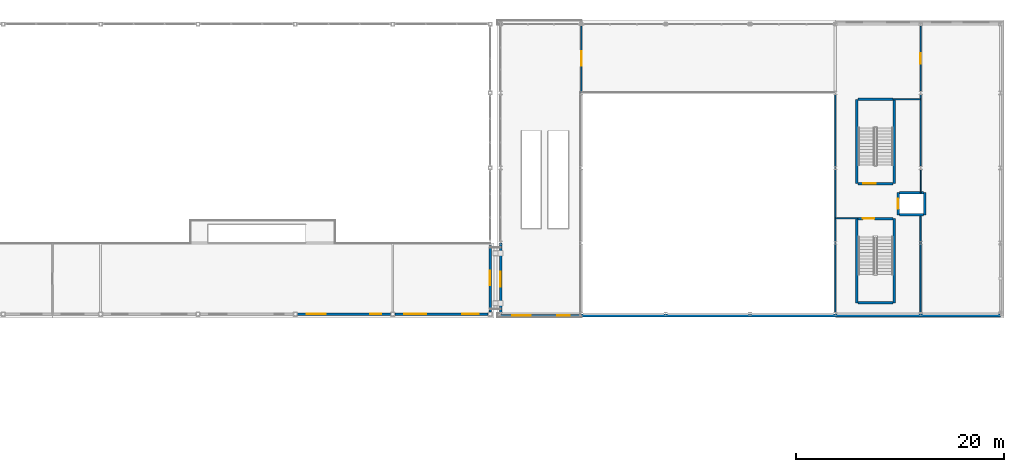
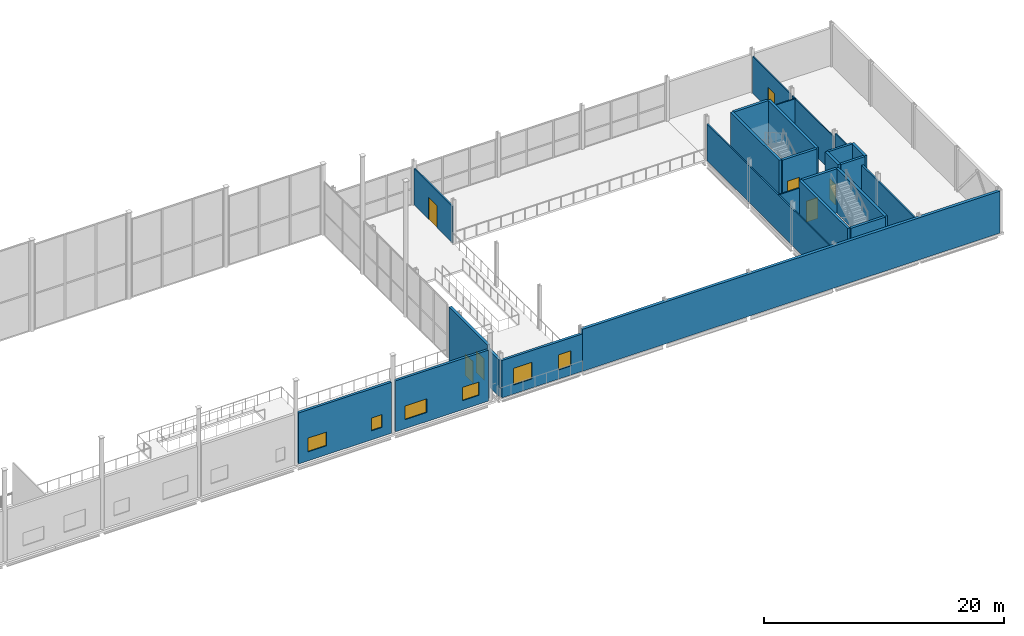
# One storey, part 68 of 77: 26 walls, 7 doors, 6 windows, 13 openings.
"""IFC4 building model written with IfcOpenShell, lengths in metres."""

import ifcopenshell
import ifcopenshell.guid

model = None  # the IFC model being written
_history = None  # IfcOwnerHistory: only IFC2X3 demands one
_inside = {}  # id of a spatial element -> (the spatial element, [elements in it])
_under = {}  # id of a project, library or spatial element -> (it, [spatial elements below it])
_declared = {}  # id of a project -> (the project, [libraries it declares])
_typed = {}  # id of a type object -> (the type object, [elements of that type])
_made_of = {}  # id of a material, layer set ... -> (it, [elements and type objects made of it])


def new_model(schema):
    """Start an empty IFC model of exactly this schema.

    Asked for "IFC4X3", IfcOpenShell would pick the latest addendum, in which some entities
    have other attributes; the version numbers below select the first issue.
    IFC2X3 requires an IfcOwnerHistory on every rooted entity: one is made here for all.
    """
    global model, _history
    if schema == "IFC4X3":
        model = ifcopenshell.file(schema_version=(4, 3, 0, 0))
    else:
        model = ifcopenshell.file(schema=schema)
    _inside.clear()
    _under.clear()
    _declared.clear()
    _typed.clear()
    _made_of.clear()
    _history = None
    if model.schema == "IFC2X3":
        org = make("IfcOrganization", Name="unknown")
        user = make(
            "IfcPersonAndOrganization",
            ThePerson=make("IfcPerson", FamilyName="unknown"),
            TheOrganization=org,
        )
        app = make(
            "IfcApplication",
            ApplicationDeveloper=org,
            Version="unknown",
            ApplicationFullName="unknown",
            ApplicationIdentifier="unknown",
        )
        _history = make(
            "IfcOwnerHistory",
            OwningUser=user,
            OwningApplication=app,
            ChangeAction="ADDED",
            CreationDate=0,
        )
    return model


def make(cls, **values):
    """One entity of the class cls with the attributes given. An attribute that is None is left unset."""
    return model.create_entity(
        cls, **{name: value for name, value in values.items() if value is not None}
    )


def rooted(cls, **values):
    """An entity with a GlobalId (a new one), such as an element, a storey or a relation."""
    return make(cls, GlobalId=ifcopenshell.guid.new(), OwnerHistory=_history, **values)


def si_unit(unit_type, name, prefix=None):
    """IfcSIUnit, for example si_unit("LENGTHUNIT", "METRE", prefix="MILLI")."""
    return make("IfcSIUnit", UnitType=unit_type, Prefix=prefix, Name=name)


def assignment(units):
    """IfcUnitAssignment: the units of a project."""
    return None if units is None else make("IfcUnitAssignment", Units=units)


def point(xyz):
    """IfcCartesianPoint."""
    return None if xyz is None else make("IfcCartesianPoint", Coordinates=xyz)


def direction(xyz):
    """IfcDirection."""
    return None if xyz is None else make("IfcDirection", DirectionRatios=xyz)


def frame(location, z_axis=None, x_axis=None):
    """IfcAxis2Placement3D, a coordinate frame: its origin and axes. An axis left out is left unset."""
    return make(
        "IfcAxis2Placement3D",
        Location=point(location),
        Axis=direction(z_axis),
        RefDirection=direction(x_axis),
    )


def frame_2d(location, x_axis=None):
    """IfcAxis2Placement2D, a coordinate frame in the plane: its origin and x axis."""
    return make(
        "IfcAxis2Placement2D", Location=point(location), RefDirection=direction(x_axis)
    )


def origin():
    """The frame at (0, 0, 0) with its axes left unset."""
    return frame((0.0, 0.0, 0.0))


def place(relative_to, where):
    """IfcLocalPlacement: puts the frame where relative to a parent placement (None: the world)."""
    return make(
        "IfcLocalPlacement", PlacementRelTo=relative_to, RelativePlacement=where
    )


def context(
    kind, dimensions, precision=None, world=None, true_north=None, identifier=None
):
    """IfcGeometricRepresentationContext, for example the 3D "Model" context."""
    return make(
        "IfcGeometricRepresentationContext",
        ContextIdentifier=identifier,
        ContextType=kind,
        CoordinateSpaceDimension=dimensions,
        Precision=precision,
        WorldCoordinateSystem=world,
        TrueNorth=true_north,
    )


def subcontext(parent, identifier, kind, view, scale=None):
    """IfcGeometricRepresentationSubContext, for example "Body" below "Model"."""
    return make(
        "IfcGeometricRepresentationSubContext",
        ContextIdentifier=identifier,
        ContextType=kind,
        ParentContext=parent,
        TargetScale=scale,
        TargetView=view,
    )


def project(units=None, contexts=None):
    """IfcProject with its units and contexts."""
    return rooted(
        "IfcProject",
        Name="project",
        RepresentationContexts=contexts,
        UnitsInContext=assignment(units),
    )


def spatial(cls, under=None, at=None, **own):
    """A site, building, storey or space (cls), placed at a placement, below another one or the project."""
    s = rooted(cls, ObjectPlacement=at, **own)
    if under is not None:
        _under.setdefault(under.id(), (under, []))[1].append(s)
    return s


def profile(cls, at=None, kind="AREA", **sizes):
    """A parametric profile (cls). Its sizes go by their IFC names, for example OverallWidth=200.0."""
    return make(cls, ProfileType=kind, Position=at, **sizes)


def rectangle(**sizes):
    """IfcRectangleProfileDef."""
    return profile("IfcRectangleProfileDef", **sizes)


def extrude(swept, where, along, depth):
    """IfcExtrudedAreaSolid: the profile swept, set in the frame where, extruded along a direction by depth."""
    return make(
        "IfcExtrudedAreaSolid",
        SweptArea=swept,
        Position=where,
        ExtrudedDirection=direction(along),
        Depth=depth,
    )


def shape(context_of_items, identifier, shape_type, items):
    """IfcShapeRepresentation: the items that make up one representation, for example the "Body"."""
    return make(
        "IfcShapeRepresentation",
        ContextOfItems=context_of_items,
        RepresentationIdentifier=identifier,
        RepresentationType=shape_type,
        Items=items,
    )


def material(Name=None, Category=None):
    """IfcMaterial."""
    return make("IfcMaterial", Name=Name, Category=Category)


def layer(
    of_material, thickness, ventilated=None, Name=None, Category=None, Priority=None
):
    """IfcMaterialLayer: one layer of a wall or slab, of a material (None: an air gap)."""
    return make(
        "IfcMaterialLayer",
        Material=of_material,
        LayerThickness=thickness,
        IsVentilated=ventilated,
        Name=Name,
        Category=Category,
        Priority=Priority,
    )


def layer_set(layers, Name=None):
    """IfcMaterialLayerSet."""
    return make("IfcMaterialLayerSet", MaterialLayers=layers, LayerSetName=Name)


def made_of(thing, what):
    """Note that an element or type object is made of a material, layer set ...; save() writes the relation."""
    if what is not None:
        _made_of.setdefault(what.id(), (what, []))[1].append(thing)
    return thing


def type_object(cls, material=None, **own):
    """A type object (cls), such as IfcWallType, which elements share."""
    return made_of(rooted(cls, **own), material)


def element(
    cls,
    number,
    at=None,
    inside=None,
    cuts=None,
    type_object=None,
    material=None,
    context=None,
    identifier="Body",
    shape_type=None,
    held_by="IfcProductDefinitionShape",
    body=None,
    shapes=None,
    **own,
):
    """One element of the class cls, such as IfcWall. Its Tag is "e" and its number.

    at: its placement. inside: the storey or other place that contains it. cuts: it is an
    opening in that element (IfcRelVoidsElement). A single representation is given by context,
    identifier, shape_type and body (its items); several are given by shapes. held_by: the class
    of the entity that holds the representations. save() writes the other relations.
    """
    e = rooted(cls, Tag="e%d" % number, ObjectPlacement=at, **own)
    if body is not None:
        shapes = [shape(context, identifier, shape_type, body)]
    if shapes is not None:
        e.Representation = make(held_by, Representations=shapes)
    if inside is not None:
        _inside.setdefault(inside.id(), (inside, []))[1].append(e)
    if cuts is not None:
        rooted(
            "IfcRelVoidsElement", RelatingBuildingElement=cuts, RelatedOpeningElement=e
        )
    if type_object is not None:
        _typed.setdefault(type_object.id(), (type_object, []))[1].append(e)
    return made_of(e, material)


def fill(opening, filler):
    """IfcRelFillsElement: the door or window that sits in an opening."""
    return rooted(
        "IfcRelFillsElement",
        RelatingOpeningElement=opening,
        RelatedBuildingElement=filler,
    )


def aggregate(whole, parts):
    """IfcRelAggregates: a whole, such as a stair, and the parts it consists of."""
    return rooted("IfcRelAggregates", RelatingObject=whole, RelatedObjects=parts)


def save(model, path):
    """Write the relations noted so far, then the file.

    IfcRelAggregates (storeys below a building ...), IfcRelContainedInSpatialStructure (elements
    in a storey), IfcRelDefinesByType, IfcRelAssociatesMaterial and IfcRelDeclares: one each for
    every whole, place, type object, material and project.
    """
    for whole, parts in _under.values():
        aggregate(whole, parts)
    for where, things in _inside.values():
        rooted(
            "IfcRelContainedInSpatialStructure",
            RelatedElements=things,
            RelatingStructure=where,
        )
    for kind, things in _typed.values():
        rooted("IfcRelDefinesByType", RelatedObjects=things, RelatingType=kind)
    for what, things in _made_of.values():
        rooted("IfcRelAssociatesMaterial", RelatedObjects=things, RelatingMaterial=what)
    for by, libraries in _declared.values():
        rooted("IfcRelDeclares", RelatingContext=by, RelatedDefinitions=libraries)
    model.write(path)


model = new_model("IFC4")

# Units and contexts
model_context = context("Model", 3, precision=1e-05, world=origin(), true_north=direction((0.0, 1.0)))
body_context = subcontext(model_context, "Body", "Model", "MODEL_VIEW")
ifc_project = project(units=[si_unit("LENGTHUNIT", "METRE"), si_unit("AREAUNIT", "SQUARE_METRE"), si_unit("VOLUMEUNIT", "CUBIC_METRE"), si_unit("PLANEANGLEUNIT", "RADIAN"), si_unit("MASSUNIT", "GRAM", prefix="KILO")], contexts=[model_context])

# Site, building, storey
site_placement = place(None, origin())
site = spatial("IfcSite", under=ifc_project, at=site_placement, CompositionType="ELEMENT")
building_placement = place(site_placement, origin())
building = spatial("IfcBuilding", under=site, at=building_placement, Name="Quillay Park Conservatory", CompositionType="ELEMENT")
storey_placement = place(building_placement, frame((0.0, 0.0, 5.39990234375)))
storey = spatial("IfcBuildingStorey", under=building, at=storey_placement, Name="L01", CompositionType="ELEMENT", Elevation=5.39990234375)

# Walls
ifc_material_1 = material(Name="Steel-Stud Acoustic Gypsum Board Partition", Category="steel")
ifc_layer_1 = layer(ifc_material_1, 0.10009765625)
ifc_layer_set_1 = layer_set([ifc_layer_1], Name="ACOUSTIC GYPSUM PARTITION 100 (Steel-Stud Acoustic Gypsum Board Partition)")
wall_type_1 = type_object("IfcWallType", Name="ACOUSTIC GYPSUM PARTITION 100", PredefinedType="PARTITIONING", material=ifc_layer_set_1)
wall_1_placement = place(storey_placement, frame((156.199951171875, 97.199951171875, 0.0), z_axis=(0.0, 0.0, 1.0), x_axis=(0.0, 1.0, 0.0)))
element("IfcWall", 1, at=wall_1_placement, inside=storey, type_object=wall_type_1, Name="L01 Seminar A Mid Wall", PredefinedType="PARTITIONING", context=body_context, shape_type="SweptSolid", body=[
    extrude(rectangle(XDim=2.24365234375, YDim=0.10009765625, at=frame_2d((1.121826171875, 0.0))), origin(), (0.0, 0.0, 1.0), 4.25),
])
ifc_material_2 = material(Name="Steel-Stud Acoustic Gypsum Board Partition", Category="steel")
ifc_layer_2 = layer(ifc_material_2, 0.10498046875)
ifc_layer_set_2 = layer_set([ifc_layer_2], Name="ACOUSTIC GYPSUM PARTITION 105 (Steel-Stud Acoustic Gypsum Board Partition)")
wall_type_2 = type_object("IfcWallType", Name="ACOUSTIC GYPSUM PARTITION 105", PredefinedType="PARTITIONING", material=ifc_layer_set_2)
wall_2_placement = place(storey_placement, frame((156.199951171875, 99.756591796875, 0.0), z_axis=(0.0, 0.0, 1.0), x_axis=(0.0, 1.0, 0.0)))
element("IfcWall", 2, at=wall_2_placement, inside=storey, type_object=wall_type_2, Name="L01 Seminar A Mid-North Wall", PredefinedType="PARTITIONING", context=body_context, shape_type="SweptSolid", body=[
    extrude(rectangle(XDim=6.886962890625, YDim=0.10498046875, at=frame_2d((3.443359375, 0.0))), origin(), (0.0, 0.0, 1.0), 3.731201171875),
])

# Wall, opening, door
ifc_material_3 = material(Name="Steel-Stud Acoustic Gypsum Board Partition", Category="steel")
ifc_layer_3 = layer(ifc_material_3, 0.110107421875)
ifc_layer_set_3 = layer_set([ifc_layer_3], Name="ACOUSTIC GYPSUM PARTITION 110 (Steel-Stud Acoustic Gypsum Board Partition)")
wall_type_3 = type_object("IfcWallType", Name="ACOUSTIC GYPSUM PARTITION 110", PredefinedType="PARTITIONING", material=ifc_layer_set_3)
wall_3_placement = place(storey_placement, frame((156.199951171875, 106.95654296875, 0.0), z_axis=(0.0, 0.0, 1.0), x_axis=(0.0, 1.0, 0.0)))
wall_3 = element("IfcWall", 3, at=wall_3_placement, inside=storey, type_object=wall_type_3, Name="L01 Seminar A Door Wall", PredefinedType="PARTITIONING", context=body_context, shape_type="SweptSolid", body=[
    extrude(rectangle(XDim=6.286865234375, YDim=0.110107421875, at=frame_2d((3.1435546875, 0.0))), origin(), (0.0, 0.0, 1.0), 3.731201171875),
])
opening_1_placement = place(wall_3_placement, frame((2.62353515625, 0.0, 0.0)))
opening_1 = element("IfcOpeningElement", 4, at=opening_1_placement, cuts=wall_3, Name="Opening D-RM10", PredefinedType="OPENING", context=body_context, shape_type="SweptSolid", body=[
    extrude(rectangle(XDim=1.0400390625, YDim=2.14990234375, at=frame_2d((0.52001953125, 1.074951171875))), frame((0.0, 0.05517578125, 0.0), z_axis=(0.0, -1.0, 0.0), x_axis=(1.0, 0.0, 0.0)), (0.0, 0.0, 1.0), 0.110107421875),
])
ifc_material_4 = material(Name="Thermally Broken Anodised Aluminium 6063-T6", Category="aluminium")
door_type_1 = type_object("IfcDoorType", Name="SINGLE SWING DOOR 1040 X2150", OperationType="NOTDEFINED", PredefinedType="DOOR", material=ifc_material_4)
door_1_placement = place(opening_1_placement, origin())
door_1 = element("IfcDoor", 5, at=door_1_placement, inside=storey, type_object=door_type_1, Name="L01 Door to Botanical Symposium Seminar Room A", OperationType="SINGLE_SWING_RIGHT", OverallHeight=2.14990234375, OverallWidth=1.0400390625, PredefinedType="DOOR", context=body_context, shape_type="SweptSolid", body=[
    extrude(rectangle(XDim=1.0400390625, YDim=2.14990234375, at=frame_2d((0.52001953125, 1.074951171875))), frame((0.0, 0.02490234375, 0.0), z_axis=(0.0, -1.0, 0.0), x_axis=(1.0, 0.0, 0.0)), (0.0, 0.0, 1.0), 0.050048828125),
])
fill(opening_1, door_1)

# Walls
ifc_material_5 = material(Name="Steel-Stud Acoustic Gypsum Board Partition", Category="steel")
ifc_layer_4 = layer(ifc_material_5, 0.114990234375)
ifc_layer_set_4 = layer_set([ifc_layer_4], Name="ACOUSTIC GYPSUM PARTITION 115 (Steel-Stud Acoustic Gypsum Board Partition)")
wall_type_4 = type_object("IfcWallType", Name="ACOUSTIC GYPSUM PARTITION 115", PredefinedType="PARTITIONING", material=ifc_layer_set_4)
wall_4_placement = place(storey_placement, frame((153.550048828125, 106.179931640625, 0.0), z_axis=(0.0, 0.0, 1.0), x_axis=(1.0, 0.0, 0.0)))
element("IfcWall", 6, at=wall_4_placement, inside=storey, type_object=wall_type_4, Name="L01 Auditorium Core Pocket Closure", PredefinedType="PARTITIONING", context=body_context, shape_type="SweptSolid", body=[
    extrude(rectangle(XDim=2.64990234375, YDim=0.114990234375, at=frame_2d((1.324951171875, 0.0))), origin(), (0.0, 0.0, 1.0), 3.731201171875),
])
ifc_material_6 = material(Name="Steel-Stud Acoustic Gypsum Board Partition", Category="steel")
ifc_layer_5 = layer(ifc_material_6, 0.1201171875)
ifc_layer_set_5 = layer_set([ifc_layer_5], Name="ACOUSTIC GYPSUM PARTITION 120 (Steel-Stud Acoustic Gypsum Board Partition)")
wall_type_5 = type_object("IfcWallType", Name="ACOUSTIC GYPSUM PARTITION 120", PredefinedType="PARTITIONING", material=ifc_layer_set_5)
wall_5_placement = place(storey_placement, frame((148.0, 94.75, 0.0), z_axis=(0.0, 0.0, 1.0), x_axis=(1.0, 0.0, 0.0)))
element("IfcWall", 7, at=wall_5_placement, inside=storey, type_object=wall_type_5, Name="L01 Auditorium Core South Closure", PredefinedType="PARTITIONING", context=body_context, shape_type="SweptSolid", body=[
    extrude(rectangle(XDim=2.14990234375, YDim=0.1201171875, at=frame_2d((1.074951171875, 0.0))), origin(), (0.0, 0.0, 1.0), 3.731201171875),
])
ifc_material_7 = material(Name="Steel-Stud Acoustic Gypsum Board Partition", Category="steel")
ifc_layer_6 = layer(ifc_material_7, 0.125)
ifc_layer_set_6 = layer_set([ifc_layer_6], Name="ACOUSTIC GYPSUM PARTITION 125 (Steel-Stud Acoustic Gypsum Board Partition)")
wall_type_6 = type_object("IfcWallType", Name="ACOUSTIC GYPSUM PARTITION 125", PredefinedType="PARTITIONING", material=ifc_layer_set_6)
wall_6_placement = place(storey_placement, frame((148.0, 85.70654296875, 0.0), z_axis=(0.0, 0.0, 1.0), x_axis=(0.0, 1.0, 0.0)))
element("IfcWall", 8, at=wall_6_placement, inside=storey, type_object=wall_type_6, Name="L01 Auditorium East Core Void Wall", PredefinedType="PARTITIONING", context=body_context, shape_type="SweptSolid", body=[
    extrude(rectangle(XDim=20.93701171875, YDim=0.125, at=frame_2d((10.468505859375, 0.0))), origin(), (0.0, 0.0, 1.0), 3.731201171875),
])

# Wall, opening, door
ifc_material_8 = material(Name="Steel-Stud Acoustic Gypsum Board Partition", Category="steel")
ifc_layer_7 = layer(ifc_material_8, 0.1298828125)
ifc_layer_set_7 = layer_set([ifc_layer_7], Name="ACOUSTIC GYPSUM PARTITION 130 (Steel-Stud Acoustic Gypsum Board Partition)")
wall_type_7 = type_object("IfcWallType", Name="ACOUSTIC GYPSUM PARTITION 130", PredefinedType="PARTITIONING", material=ifc_layer_set_7)
wall_7_placement = place(storey_placement, frame((123.60009765625, 106.860107421875, 0.0), z_axis=(0.0, 0.0, 1.0), x_axis=(0.0, 1.0, 0.0)))
wall_7 = element("IfcWall", 9, at=wall_7_placement, inside=storey, type_object=wall_type_7, Name="L01 Balcony Foyer to Gallery Door Wall", PredefinedType="PARTITIONING", context=body_context, shape_type="SweptSolid", body=[
    extrude(rectangle(XDim=6.38330078125, YDim=0.1298828125, at=frame_2d((3.191650390625, 0.0))), origin(), (0.0, 0.0, 1.0), 3.731201171875),
])
opening_2_placement = place(wall_7_placement, frame((2.550048828125, 0.0, 0.0)))
opening_2 = element("IfcOpeningElement", 10, at=opening_2_placement, cuts=wall_7, Name="Opening D-LB03", PredefinedType="OPENING", context=body_context, shape_type="SweptSolid", body=[
    extrude(rectangle(XDim=1.39990234375, YDim=2.25, at=frame_2d((0.699951171875, 1.125))), frame((0.0, 0.06494140625, 0.0), z_axis=(0.0, -1.0, 0.0), x_axis=(1.0, 0.0, 0.0)), (0.0, 0.0, 1.0), 0.1298828125),
])
ifc_material_9 = material(Name="Steel ASTM A572 Grade 50", Category="steel")
door_type_2 = type_object("IfcDoorType", Name="FIRE RATED LOBBY DOOR 1400 X2250", OperationType="NOTDEFINED", PredefinedType="DOOR", material=ifc_material_9)
door_2_placement = place(opening_2_placement, origin())
door_2 = element("IfcDoor", 11, at=door_2_placement, inside=storey, type_object=door_type_2, Name="L01 Door to L01 Auditorium North Gallery", OperationType="SINGLE_SWING_LEFT", OverallHeight=2.25, OverallWidth=1.39990234375, PredefinedType="DOOR", context=body_context, shape_type="SweptSolid", body=[
    extrude(rectangle(XDim=1.39990234375, YDim=2.25, at=frame_2d((0.699951171875, 1.125))), frame((0.0, 0.02490234375, 0.0), z_axis=(0.0, -1.0, 0.0), x_axis=(1.0, 0.0, 0.0)), (0.0, 0.0, 1.0), 0.050048828125),
])
fill(opening_2, door_2)

# Walls
ifc_material_10 = material(Name="Steel-Stud Acoustic Gypsum Board Partition", Category="steel")
ifc_layer_8 = layer(ifc_material_10, 0.14990234375)
ifc_layer_set_8 = layer_set([ifc_layer_8], Name="ACOUSTIC GYPSUM PARTITION 150 (Steel-Stud Acoustic Gypsum Board Partition)")
wall_type_8 = type_object("IfcWallType", Name="ACOUSTIC GYPSUM PARTITION 150", PredefinedType="PARTITIONING", material=ifc_layer_set_8)
wall_8_placement = place(storey_placement, frame((156.199951171875, 85.70654296875, 0.0), z_axis=(0.0, 0.0, 1.0), x_axis=(0.0, 1.0, 0.0)))
element("IfcWall", 12, at=wall_8_placement, inside=storey, type_object=wall_type_8, Name="L01 Seminar A South-West Wall", PredefinedType="PARTITIONING", context=body_context, shape_type="SweptSolid", body=[
    extrude(rectangle(XDim=9.3935546875, YDim=0.14990234375, at=frame_2d((4.69677734375, 0.0))), origin(), (0.0, 0.0, 1.0), 3.731201171875),
])
ifc_material_11 = material(Name="Concrete C35/45 (NCh170 Concrete C35/45)", Category="concrete")
ifc_layer_9 = layer(ifc_material_11, 0.22509765625)
ifc_layer_set_9 = layer_set([ifc_layer_9], Name="CORE SHEAR WALL 225 (Concrete C35/45 (NCh170 Concrete C35/45))")
wall_type_9 = type_object("IfcWallType", Name="CORE SHEAR WALL 225", PredefinedType="SHEAR", material=ifc_layer_set_9)
for number, where, z_axis, x_axis, name in (
    (13, (154.14990234375, 95.08740234375, 0.0), (0.0, 0.0, 1.0), (1.0, 0.0, 0.0), "L01 Core Shear Wall WL-LFA1S-L01"),
    (14, (154.14990234375, 97.21240234375, 0.0), (0.0, 0.0, 1.0), (1.0, 0.0, 0.0), "L01 Core Shear Wall WL-LFA1N-L01"),
):
    element("IfcWall", number, at=place(storey_placement, frame(where, z_axis=z_axis, x_axis=x_axis)), inside=storey, type_object=wall_type_9, Name=name, PredefinedType="SHEAR", context=body_context, shape_type="SweptSolid", body=[
        extrude(rectangle(XDim=2.300048828125, YDim=0.22509765625, at=frame_2d((1.14990234375, 0.0))), origin(), (0.0, 0.0, 1.0), 4.5),
    ])
ifc_material_12 = material(Name="Concrete C40/50 (NCh170 Concrete C40/50)", Category="concrete")
ifc_layer_10 = layer(ifc_material_12, 0.25)
ifc_layer_set_10 = layer_set([ifc_layer_10], Name="CORE SHEAR WALL 250 (Concrete C40/50 (NCh170 Concrete C40/50))")
wall_type_10 = type_object("IfcWallType", Name="CORE SHEAR WALL 250", PredefinedType="SHEAR", material=ifc_layer_set_10)
for number, where, z_axis, x_axis, name in (
    (15, (150.074951171875, 86.625, 0.0), (0.0, 0.0, 1.0), (0.0, 1.0, 0.0), "L01 Core Shear Wall WL-A1W-L01"),
    (16, (153.64501953125, 86.625, 0.0), (0.0, 0.0, 1.0), (0.0, 1.0, 0.0), "L01 Core Shear Wall WL-A1E-L01"),
):
    element("IfcWall", number, at=place(storey_placement, frame(where, z_axis=z_axis, x_axis=x_axis)), inside=storey, type_object=wall_type_10, Name=name, PredefinedType="SHEAR", context=body_context, shape_type="SweptSolid", body=[
        extrude(rectangle(XDim=8.10009765625, YDim=0.25, at=frame_2d((4.050048828125, 0.0))), origin(), (0.0, 0.0, 1.0), 4.5),
    ])
wall_9_placement = place(storey_placement, frame((150.199951171875, 86.625, 0.0), z_axis=(0.0, 0.0, 1.0), x_axis=(1.0, 0.0, 0.0)))
element("IfcWall", 17, at=wall_9_placement, inside=storey, type_object=wall_type_10, Name="L01 Core Shear Wall WL-A1S-L01", PredefinedType="SHEAR", context=body_context, shape_type="SweptSolid", body=[
    extrude(rectangle(XDim=3.320068359375, YDim=0.25, at=frame_2d((1.66015625, 0.0))), origin(), (0.0, 0.0, 1.0), 4.5),
])

# Wall, opening, door
wall_10_placement = place(storey_placement, frame((150.199951171875, 94.72509765625, 0.0), z_axis=(0.0, 0.0, 1.0), x_axis=(1.0, 0.0, 0.0)))
wall_10 = element("IfcWall", 18, at=wall_10_placement, inside=storey, type_object=wall_type_10, Name="L01 Core Shear Wall WL-A1D-L01", PredefinedType="SHEAR", context=body_context, shape_type="SweptSolid", body=[
    extrude(rectangle(XDim=3.320068359375, YDim=0.25, at=frame_2d((1.66015625, 0.0))), origin(), (0.0, 0.0, 1.0), 4.5),
])
opening_3_placement = place(wall_10_placement, frame((0.449951171875, 0.0, 0.0)))
opening_3 = element("IfcOpeningElement", 19, at=opening_3_placement, cuts=wall_10, Name="Opening D-ST01", PredefinedType="OPENING", context=body_context, shape_type="SweptSolid", body=[
    extrude(rectangle(XDim=1.10009765625, YDim=2.14990234375, at=frame_2d((0.550048828125, 1.074951171875))), frame((0.0, 0.125, 0.0), z_axis=(0.0, -1.0, 0.0), x_axis=(1.0, 0.0, 0.0)), (0.0, 0.0, 1.0), 0.25),
])
ifc_material_13 = material(Name="Steel ASTM A572 Grade 50", Category="steel")
door_type_3 = type_object("IfcDoorType", Name="FIRE RATED STAIR DOOR 1100 X2150", OperationType="NOTDEFINED", PredefinedType="DOOR", material=ifc_material_13)
door_3_placement = place(opening_3_placement, origin())
door_3 = element("IfcDoor", 20, at=door_3_placement, inside=storey, type_object=door_type_3, Name="L01 Auditorium Stair ST-A1 Door", OperationType="SINGLE_SWING_LEFT", OverallHeight=2.14990234375, OverallWidth=1.10009765625, PredefinedType="DOOR", context=body_context, shape_type="SweptSolid", body=[
    extrude(rectangle(XDim=1.10009765625, YDim=2.14990234375, at=frame_2d((0.550048828125, 1.074951171875))), frame((0.0, 0.02490234375, 0.0), z_axis=(0.0, -1.0, 0.0), x_axis=(1.0, 0.0, 0.0)), (0.0, 0.0, 1.0), 0.050048828125),
])
fill(opening_3, door_3)

# Walls
for number, where, z_axis, x_axis, name in (
    (21, (150.074951171875, 98.074951171875, 0.0), (0.0, 0.0, 1.0), (0.0, 1.0, 0.0), "L01 Core Shear Wall WL-A2W-L01"),
    (22, (153.64501953125, 98.074951171875, 0.0), (0.0, 0.0, 1.0), (0.0, 1.0, 0.0), "L01 Core Shear Wall WL-A2E-L01"),
):
    element("IfcWall", number, at=place(storey_placement, frame(where, z_axis=z_axis, x_axis=x_axis)), inside=storey, type_object=wall_type_10, Name=name, PredefinedType="SHEAR", context=body_context, shape_type="SweptSolid", body=[
        extrude(rectangle(XDim=8.10009765625, YDim=0.25, at=frame_2d((4.050048828125, 0.0))), origin(), (0.0, 0.0, 1.0), 4.5),
    ])
wall_11_placement = place(storey_placement, frame((150.199951171875, 106.175048828125, 0.0), z_axis=(0.0, 0.0, 1.0), x_axis=(1.0, 0.0, 0.0)))
element("IfcWall", 23, at=wall_11_placement, inside=storey, type_object=wall_type_10, Name="L01 Core Shear Wall WL-A2N-L01", PredefinedType="SHEAR", context=body_context, shape_type="SweptSolid", body=[
    extrude(rectangle(XDim=3.320068359375, YDim=0.25, at=frame_2d((1.66015625, 0.0))), origin(), (0.0, 0.0, 1.0), 4.5),
])

# Wall, opening, door
wall_12_placement = place(storey_placement, frame((153.52001953125, 98.074951171875, 0.0), z_axis=(0.0, 0.0, 1.0), x_axis=(-1.0, 0.0, 0.0)))
wall_12 = element("IfcWall", 24, at=wall_12_placement, inside=storey, type_object=wall_type_10, Name="L01 Core Shear Wall WL-A2D-L01", PredefinedType="SHEAR", context=body_context, shape_type="SweptSolid", body=[
    extrude(rectangle(XDim=3.320068359375, YDim=0.25, at=frame_2d((1.66015625, 0.0))), origin(), (0.0, 0.0, 1.0), 4.5),
])
opening_4_placement = place(wall_12_placement, frame((1.64990234375, 0.0, 0.0)))
opening_4 = element("IfcOpeningElement", 25, at=opening_4_placement, cuts=wall_12, Name="Opening D-ST03", PredefinedType="OPENING", context=body_context, shape_type="SweptSolid", body=[
    extrude(rectangle(XDim=1.199951171875, YDim=2.199951171875, at=frame_2d((0.60009765625, 1.10009765625))), frame((0.0, 0.125, 0.0), z_axis=(0.0, -1.0, 0.0), x_axis=(1.0, 0.0, 0.0)), (0.0, 0.0, 1.0), 0.25),
])
ifc_material_14 = material(Name="Steel ASTM A572 Grade 50", Category="steel")
door_type_4 = type_object("IfcDoorType", Name="FIRE RATED STAIR DOOR 1200 X2200", OperationType="NOTDEFINED", PredefinedType="DOOR", material=ifc_material_14)
door_4_placement = place(opening_4_placement, origin())
door_4 = element("IfcDoor", 26, at=door_4_placement, inside=storey, type_object=door_type_4, Name="L01 Auditorium Stair ST-A2 Door", OperationType="SINGLE_SWING_RIGHT", OverallHeight=2.199951171875, OverallWidth=1.199951171875, PredefinedType="DOOR", context=body_context, shape_type="SweptSolid", body=[
    extrude(rectangle(XDim=1.199951171875, YDim=2.199951171875, at=frame_2d((0.60009765625, 1.10009765625))), frame((0.0, 0.02490234375, 0.0), z_axis=(0.0, -1.0, 0.0), x_axis=(1.0, 0.0, 0.0)), (0.0, 0.0, 1.0), 0.050048828125),
])
fill(opening_4, door_4)

# Wall
wall_13_placement = place(storey_placement, frame((156.574951171875, 95.074951171875, 0.0), z_axis=(0.0, 0.0, 1.0), x_axis=(0.0, 1.0, 0.0)))
element("IfcWall", 27, at=wall_13_placement, inside=storey, type_object=wall_type_10, Name="L01 Core Shear Wall WL-LFA1B-L01", PredefinedType="SHEAR", context=body_context, shape_type="SweptSolid", body=[
    extrude(rectangle(XDim=2.150146484375, YDim=0.25, at=frame_2d((1.0751953125, 0.0))), origin(), (0.0, 0.0, 1.0), 4.5),
])

# Wall, opening, door
wall_14_placement = place(storey_placement, frame((154.02490234375, 95.074951171875, 0.0), z_axis=(0.0, 0.0, 1.0), x_axis=(0.0, 1.0, 0.0)))
wall_14 = element("IfcWall", 28, at=wall_14_placement, inside=storey, type_object=wall_type_10, Name="L01 Core Shear Wall WL-LFA1F-L01", PredefinedType="SHEAR", context=body_context, shape_type="SweptSolid", body=[
    extrude(rectangle(XDim=2.150146484375, YDim=0.25, at=frame_2d((1.0751953125, 0.0))), origin(), (0.0, 0.0, 1.0), 4.5),
])
opening_5_placement = place(wall_14_placement, frame((0.574951171875, 0.0, 0.0)))
opening_5 = element("IfcOpeningElement", 29, at=opening_5_placement, cuts=wall_14, Name="Opening LD04", PredefinedType="OPENING", context=body_context, shape_type="SweptSolid", body=[
    extrude(rectangle(XDim=1.0, YDim=2.10009765625, at=frame_2d((0.5, 1.050048828125))), frame((0.0, 0.125, 0.0), z_axis=(0.0, -1.0, 0.0), x_axis=(1.0, 0.0, 0.0)), (0.0, 0.0, 1.0), 0.25),
])
ifc_material_15 = material(Name="Steel ASTM A572 Grade 50", Category="steel")
door_type_5 = type_object("IfcDoorType", Name="LIFT LANDING SLIDING DOOR 1000 X2100", OperationType="NOTDEFINED", PredefinedType="DOOR", material=ifc_material_15)
door_5_placement = place(opening_5_placement, origin())
door_5 = element("IfcDoor", 30, at=door_5_placement, inside=storey, type_object=door_type_5, Name="L01 LF-A1 Lift Landing Door LD04", OperationType="SLIDING_TO_LEFT", OverallHeight=2.10009765625, OverallWidth=1.0, PredefinedType="DOOR", context=body_context, shape_type="SweptSolid", body=[
    extrude(rectangle(XDim=1.0, YDim=2.10009765625, at=frame_2d((0.5, 1.050048828125))), frame((0.0, 0.02490234375, 0.0), z_axis=(0.0, -1.0, 0.0), x_axis=(1.0, 0.0, 0.0)), (0.0, 0.0, 1.0), 0.050048828125),
])
fill(opening_5, door_5)

# Wall, openings, windows
ifc_material_16 = material(Name="Glass-Fibre Reinforced Concrete (GRC) Cladding", Category="concrete")
ifc_layer_11 = layer(ifc_material_16, 0.239990234375)
ifc_layer_set_11 = layer_set([ifc_layer_11], Name="EXTERIOR SOLID WALL 240 (Glass-Fibre Reinforced Concrete (GRC) Cladding)")
wall_type_11 = type_object("IfcWallType", Name="EXTERIOR SOLID WALL 240", PredefinedType="SOLIDWALL", material=ifc_layer_set_11)
wall_15_placement = place(storey_placement, frame((105.293212890625, 85.550048828125, 0.0), z_axis=(0.0, 0.0, 1.0), x_axis=(-1.0, 0.0, 0.0)))
wall_15 = element("IfcWall", 31, at=wall_15_placement, inside=storey, type_object=wall_type_11, Name="L01 External Wall WL-EXT-V1S-L01-7", PredefinedType="SOLIDWALL", context=body_context, shape_type="SweptSolid", body=[
    extrude(rectangle(XDim=8.953125, YDim=0.239990234375, at=frame_2d((4.4765625, 0.0))), origin(), (0.0, 0.0, 1.0), 5.2001953125),
])
opening_6_placement = place(wall_15_placement, frame((0.898681640625, 0.0, 0.919921875)))
opening_6 = element("IfcOpeningElement", 32, at=opening_6_placement, cuts=wall_15, Name="Opening W-18", PredefinedType="OPENING", context=body_context, shape_type="SweptSolid", body=[
    extrude(rectangle(XDim=1.050048828125, YDim=1.300048828125, at=frame_2d((0.52490234375, 0.64990234375))), frame((0.0, 0.1201171875, 0.0), z_axis=(0.0, -1.0, 0.0), x_axis=(1.0, 0.0, 0.0)), (0.0, 0.0, 1.0), 0.239990234375),
])
opening_7_placement = place(wall_15_placement, frame((6.25439453125, 0.0, 0.919921875)))
opening_7 = element("IfcOpeningElement", 33, at=opening_7_placement, cuts=wall_15, Name="Opening W-05", PredefinedType="OPENING", context=body_context, shape_type="SweptSolid", body=[
    extrude(rectangle(XDim=1.800048828125, YDim=1.39990234375, at=frame_2d((0.89990234375, 0.699951171875))), frame((0.0, 0.1201171875, 0.0), z_axis=(0.0, -1.0, 0.0), x_axis=(1.0, 0.0, 0.0)), (0.0, 0.0, 1.0), 0.239990234375),
])
ifc_material_17 = material(Name="Low-E Double Glazing (Laminated Tempered)", Category="glass")
window_type_1 = type_object("IfcWindowType", Name="FIXED CASEMENT WINDOW 1050 X1300", PartitioningType="SINGLE_PANEL", PredefinedType="WINDOW", material=ifc_material_17)
window_1_placement = place(opening_6_placement, origin())
window_1 = element("IfcWindow", 34, at=window_1_placement, inside=storey, type_object=window_type_1, Name="L01 Exterior Window 0367", OverallHeight=1.300048828125, OverallWidth=1.050048828125, PartitioningType="SINGLE_PANEL", PredefinedType="WINDOW", context=body_context, shape_type="SweptSolid", body=[
    extrude(rectangle(XDim=1.050048828125, YDim=1.300048828125, at=frame_2d((0.52490234375, 0.64990234375))), frame((0.0, 0.030029296875, 0.0), z_axis=(0.0, -1.0, 0.0), x_axis=(1.0, 0.0, 0.0)), (0.0, 0.0, 1.0), 0.06005859375),
])
fill(opening_6, window_1)
ifc_material_18 = material(Name="Low-E Double Glazing (Laminated Tempered)", Category="glass")
window_type_2 = type_object("IfcWindowType", Name="FIXED CASEMENT WINDOW 1800 X1400", PartitioningType="DOUBLE_PANEL_VERTICAL", PredefinedType="WINDOW", material=ifc_material_18)
window_2_placement = place(opening_7_placement, origin())
window_2 = element("IfcWindow", 35, at=window_2_placement, inside=storey, type_object=window_type_2, Name="L01 Exterior Window 0368", OverallHeight=1.39990234375, OverallWidth=1.800048828125, PartitioningType="DOUBLE_PANEL_VERTICAL", PredefinedType="WINDOW", context=body_context, shape_type="SweptSolid", body=[
    extrude(rectangle(XDim=1.800048828125, YDim=1.39990234375, at=frame_2d((0.89990234375, 0.699951171875))), frame((0.0, 0.030029296875, 0.0), z_axis=(0.0, -1.0, 0.0), x_axis=(1.0, 0.0, 0.0)), (0.0, 0.0, 1.0), 0.06005859375),
])
fill(opening_7, window_2)

wall_16_placement = place(storey_placement, frame((114.648681640625, 85.550048828125, 0.0), z_axis=(0.0, 0.0, 1.0), x_axis=(-1.0, 0.0, 0.0)))
wall_16 = element("IfcWall", 36, at=wall_16_placement, inside=storey, type_object=wall_type_11, Name="L01 External Wall WL-EXT-V1S-L01-8", PredefinedType="SOLIDWALL", context=body_context, shape_type="SweptSolid", body=[
    extrude(rectangle(XDim=8.953125, YDim=0.239990234375, at=frame_2d((4.4765625, 0.0))), origin(), (0.0, 0.0, 1.0), 5.2001953125),
])
opening_8_placement = place(wall_16_placement, frame((0.898681640625, 0.0, 0.919921875)))
opening_8 = element("IfcOpeningElement", 37, at=opening_8_placement, cuts=wall_16, Name="Opening W-19", PredefinedType="OPENING", context=body_context, shape_type="SweptSolid", body=[
    extrude(rectangle(XDim=1.60009765625, YDim=1.35009765625, at=frame_2d((0.800048828125, 0.675048828125))), frame((0.0, 0.1201171875, 0.0), z_axis=(0.0, -1.0, 0.0), x_axis=(1.0, 0.0, 0.0)), (0.0, 0.0, 1.0), 0.239990234375),
])
opening_9_placement = place(wall_16_placement, frame((5.954345703125, 0.0, 0.919921875)))
opening_9 = element("IfcOpeningElement", 38, at=opening_9_placement, cuts=wall_16, Name="Opening W-06", PredefinedType="OPENING", context=body_context, shape_type="SweptSolid", body=[
    extrude(rectangle(XDim=2.10009765625, YDim=1.39990234375, at=frame_2d((1.050048828125, 0.699951171875))), frame((0.0, 0.1201171875, 0.0), z_axis=(0.0, -1.0, 0.0), x_axis=(1.0, 0.0, 0.0)), (0.0, 0.0, 1.0), 0.239990234375),
])
ifc_material_19 = material(Name="Low-E Double Glazing (Laminated Tempered)", Category="glass")
window_type_3 = type_object("IfcWindowType", Name="FIXED CASEMENT WINDOW 1600 X1350", PartitioningType="DOUBLE_PANEL_VERTICAL", PredefinedType="WINDOW", material=ifc_material_19)
window_3_placement = place(opening_8_placement, origin())
window_3 = element("IfcWindow", 39, at=window_3_placement, inside=storey, type_object=window_type_3, Name="L01 Exterior Window 0369", OverallHeight=1.35009765625, OverallWidth=1.60009765625, PartitioningType="DOUBLE_PANEL_VERTICAL", PredefinedType="WINDOW", context=body_context, shape_type="SweptSolid", body=[
    extrude(rectangle(XDim=1.60009765625, YDim=1.35009765625, at=frame_2d((0.800048828125, 0.675048828125))), frame((0.0, 0.030029296875, 0.0), z_axis=(0.0, -1.0, 0.0), x_axis=(1.0, 0.0, 0.0)), (0.0, 0.0, 1.0), 0.06005859375),
])
fill(opening_8, window_3)
ifc_material_20 = material(Name="Low-E Double Glazing (Laminated Tempered)", Category="glass")
window_type_4 = type_object("IfcWindowType", Name="FIXED CASEMENT WINDOW 2100 X1400", PartitioningType="DOUBLE_PANEL_VERTICAL", PredefinedType="WINDOW", material=ifc_material_20)
window_4_placement = place(opening_9_placement, origin())
window_4 = element("IfcWindow", 40, at=window_4_placement, inside=storey, type_object=window_type_4, Name="L01 Exterior Window 0370", OverallHeight=1.39990234375, OverallWidth=2.10009765625, PartitioningType="DOUBLE_PANEL_VERTICAL", PredefinedType="WINDOW", context=body_context, shape_type="SweptSolid", body=[
    extrude(rectangle(XDim=2.10009765625, YDim=1.39990234375, at=frame_2d((1.050048828125, 0.699951171875))), frame((0.0, 0.030029296875, 0.0), z_axis=(0.0, -1.0, 0.0), x_axis=(1.0, 0.0, 0.0)), (0.0, 0.0, 1.0), 0.06005859375),
])
fill(opening_9, window_4)

# Wall, opening, door
wall_17_placement = place(storey_placement, frame((114.85009765625, 92.14990234375, 0.0), z_axis=(0.0, 0.0, 1.0), x_axis=(0.0, -1.0, 0.0)))
wall_17 = element("IfcWall", 41, at=wall_17_placement, inside=storey, type_object=wall_type_11, Name="L01 External Wall WL-EXT-V1E-WK", PredefinedType="SOLIDWALL", context=body_context, shape_type="SweptSolid", body=[
    extrude(rectangle(XDim=6.398681640625, YDim=0.239990234375, at=frame_2d((3.19921875, 0.0))), origin(), (0.0, 0.0, 1.0), 5.5),
])
opening_10_placement = place(wall_17_placement, frame((2.449951171875, 0.0, 0.0)))
opening_10 = element("IfcOpeningElement", 42, at=opening_10_placement, cuts=wall_17, Name="Opening D-TR03", PredefinedType="OPENING", context=body_context, shape_type="SweptSolid", body=[
    extrude(rectangle(XDim=1.39990234375, YDim=2.199951171875, at=frame_2d((0.699951171875, 1.10009765625))), frame((0.0, 0.1201171875, 0.0), z_axis=(0.0, -1.0, 0.0), x_axis=(1.0, 0.0, 0.0)), (0.0, 0.0, 1.0), 0.239990234375),
])
ifc_material_21 = material(Name="Thermally Broken Anodised Aluminium 6063-T6", Category="aluminium")
door_type_6 = type_object("IfcDoorType", Name="TERRACE GLAZED DOOR 1400 X2200", OperationType="NOTDEFINED", PredefinedType="DOOR", material=ifc_material_21)
door_6_placement = place(opening_10_placement, origin())
door_6 = element("IfcDoor", 43, at=door_6_placement, inside=storey, type_object=door_type_6, Name="L01 Conservatory Canopy Walk East Bridge Door", OperationType="SINGLE_SWING_LEFT", OverallHeight=2.199951171875, OverallWidth=1.39990234375, PredefinedType="DOOR", context=body_context, shape_type="SweptSolid", body=[
    extrude(rectangle(XDim=1.39990234375, YDim=2.199951171875, at=frame_2d((0.699951171875, 1.10009765625))), frame((0.0, 0.02490234375, 0.0), z_axis=(0.0, -1.0, 0.0), x_axis=(1.0, 0.0, 0.0)), (0.0, 0.0, 1.0), 0.050048828125),
])
fill(opening_10, door_6)

wall_18_placement = place(storey_placement, frame((115.85009765625, 85.550048828125, 0.0), z_axis=(0.0, 0.0, 1.0), x_axis=(0.0, 1.0, 0.0)))
wall_18 = element("IfcWall", 44, at=wall_18_placement, inside=storey, type_object=wall_type_11, Name="L01 External Wall WL-EXT-V2W-L01", PredefinedType="SOLIDWALL", context=body_context, shape_type="SweptSolid", body=[
    extrude(rectangle(XDim=6.849853515625, YDim=0.239990234375, at=frame_2d((3.4248046875, 0.0))), origin(), (0.0, 0.0, 1.0), 3.731201171875),
])
opening_11_placement = place(wall_18_placement, frame((2.64990234375, 0.0, 0.0)))
opening_11 = element("IfcOpeningElement", 45, at=opening_11_placement, cuts=wall_18, Name="Opening D-TR03", PredefinedType="OPENING", context=body_context, shape_type="SweptSolid", body=[
    extrude(rectangle(XDim=1.39990234375, YDim=2.199951171875, at=frame_2d((0.699951171875, 1.10009765625))), frame((0.0, 0.1201171875, 0.0), z_axis=(0.0, -1.0, 0.0), x_axis=(1.0, 0.0, 0.0)), (0.0, 0.0, 1.0), 0.239990234375),
])
door_7_placement = place(opening_11_placement, origin())
door_7 = element("IfcDoor", 46, at=door_7_placement, inside=storey, type_object=door_type_6, Name="L01 Auditorium Balcony Foyer Bridge Door", OperationType="SINGLE_SWING_RIGHT", OverallHeight=2.199951171875, OverallWidth=1.39990234375, PredefinedType="DOOR", context=body_context, shape_type="SweptSolid", body=[
    extrude(rectangle(XDim=1.39990234375, YDim=2.199951171875, at=frame_2d((0.699951171875, 1.10009765625))), frame((0.0, 0.02490234375, 0.0), z_axis=(0.0, -1.0, 0.0), x_axis=(1.0, 0.0, 0.0)), (0.0, 0.0, 1.0), 0.050048828125),
])
fill(opening_11, door_7)

# Wall, openings, windows
wall_19_placement = place(storey_placement, frame((123.60009765625, 85.39990234375, 0.0), z_axis=(0.0, 0.0, 1.0), x_axis=(-1.0, 0.0, 0.0)))
wall_19 = element("IfcWall", 47, at=wall_19_placement, inside=storey, type_object=wall_type_11, Name="L01 External Wall WL-EXT-V2FS-L01", PredefinedType="SOLIDWALL", context=body_context, shape_type="SweptSolid", body=[
    extrude(rectangle(XDim=7.75, YDim=0.239990234375, at=frame_2d((3.875, 0.0))), origin(), (0.0, 0.0, 1.0), 3.800048828125),
])
opening_12_placement = place(wall_19_placement, frame((1.10009765625, 0.0, 0.919921875)))
opening_12 = element("IfcOpeningElement", 48, at=opening_12_placement, cuts=wall_19, Name="Opening W-07", PredefinedType="OPENING", context=body_context, shape_type="SweptSolid", body=[
    extrude(rectangle(XDim=1.199951171875, YDim=1.550048828125, at=frame_2d((0.60009765625, 0.77490234375))), frame((0.0, 0.1201171875, 0.0), z_axis=(0.0, -1.0, 0.0), x_axis=(1.0, 0.0, 0.0)), (0.0, 0.0, 1.0), 0.239990234375),
])
opening_13_placement = place(wall_19_placement, frame((4.85009765625, 0.0, 0.919921875)))
opening_13 = element("IfcOpeningElement", 49, at=opening_13_placement, cuts=wall_19, Name="Opening W-14", PredefinedType="OPENING", context=body_context, shape_type="SweptSolid", body=[
    extrude(rectangle(XDim=1.800048828125, YDim=1.699951171875, at=frame_2d((0.89990234375, 0.85009765625))), frame((0.0, 0.1201171875, 0.0), z_axis=(0.0, -1.0, 0.0), x_axis=(1.0, 0.0, 0.0)), (0.0, 0.0, 1.0), 0.239990234375),
])
ifc_material_22 = material(Name="Low-E Double Glazing (Laminated Tempered)", Category="glass")
window_type_5 = type_object("IfcWindowType", Name="FIXED CASEMENT WINDOW 1200 X1550", PartitioningType="SINGLE_PANEL", PredefinedType="WINDOW", material=ifc_material_22)
window_5_placement = place(opening_12_placement, origin())
window_5 = element("IfcWindow", 50, at=window_5_placement, inside=storey, type_object=window_type_5, Name="L01 Exterior Window 0395", OverallHeight=1.550048828125, OverallWidth=1.199951171875, PartitioningType="SINGLE_PANEL", PredefinedType="WINDOW", context=body_context, shape_type="SweptSolid", body=[
    extrude(rectangle(XDim=1.199951171875, YDim=1.550048828125, at=frame_2d((0.60009765625, 0.77490234375))), frame((0.0, 0.030029296875, 0.0), z_axis=(0.0, -1.0, 0.0), x_axis=(1.0, 0.0, 0.0)), (0.0, 0.0, 1.0), 0.06005859375),
])
fill(opening_12, window_5)
ifc_material_23 = material(Name="Low-E Double Glazing (Laminated Tempered)", Category="glass")
window_type_6 = type_object("IfcWindowType", Name="FIXED CASEMENT WINDOW 1800 X1700", PartitioningType="DOUBLE_PANEL_VERTICAL", PredefinedType="WINDOW", material=ifc_material_23)
window_6_placement = place(opening_13_placement, origin())
window_6 = element("IfcWindow", 51, at=window_6_placement, inside=storey, type_object=window_type_6, Name="L01 Exterior Window 0396", OverallHeight=1.699951171875, OverallWidth=1.800048828125, PartitioningType="DOUBLE_PANEL_VERTICAL", PredefinedType="WINDOW", context=body_context, shape_type="SweptSolid", body=[
    extrude(rectangle(XDim=1.800048828125, YDim=1.699951171875, at=frame_2d((0.89990234375, 0.85009765625))), frame((0.0, 0.030029296875, 0.0), z_axis=(0.0, -1.0, 0.0), x_axis=(1.0, 0.0, 0.0)), (0.0, 0.0, 1.0), 0.06005859375),
])
fill(opening_13, window_6)

# Wall
ifc_material_24 = material(Name="Concrete C35/45 (NCh170 Concrete C35/45)", Category="concrete")
ifc_layer_12 = layer(ifc_material_24, 0.280029296875)
ifc_layer_set_12 = layer_set([ifc_layer_12], Name="SOLID FIREWALL 280 (Concrete C35/45 (NCh170 Concrete C35/45))")
wall_type_12 = type_object("IfcWallType", Name="SOLID FIREWALL 280", PredefinedType="SOLIDWALL", material=ifc_layer_set_12)
wall_20_placement = place(storey_placement, frame((163.85009765625, 85.39990234375, 0.0), z_axis=(0.0, 0.0, 1.0), x_axis=(-1.0, 0.0, 0.0)))
element("IfcWall", 52, at=wall_20_placement, inside=storey, type_object=wall_type_12, Name="L01 Auditorium Inner-South Firewall", PredefinedType="SOLIDWALL", context=body_context, shape_type="SweptSolid", body=[
    extrude(rectangle(XDim=40.25, YDim=0.280029296875, at=frame_2d((20.125, 0.0))), origin(), (0.0, 0.0, 1.0), 4.280029296875),
])

save(model, "model.ifc")
